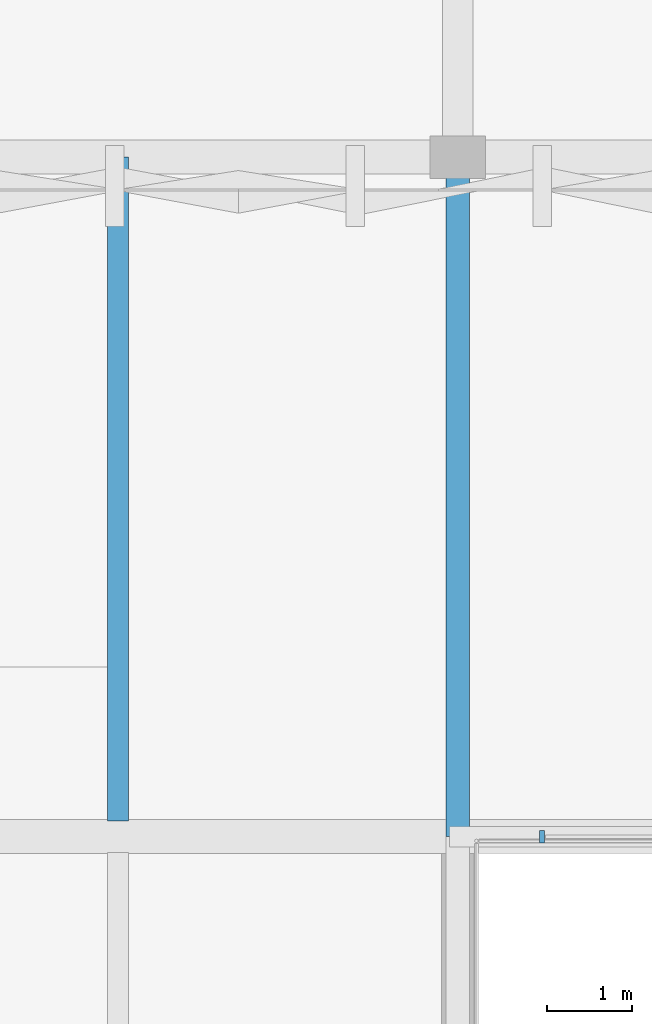
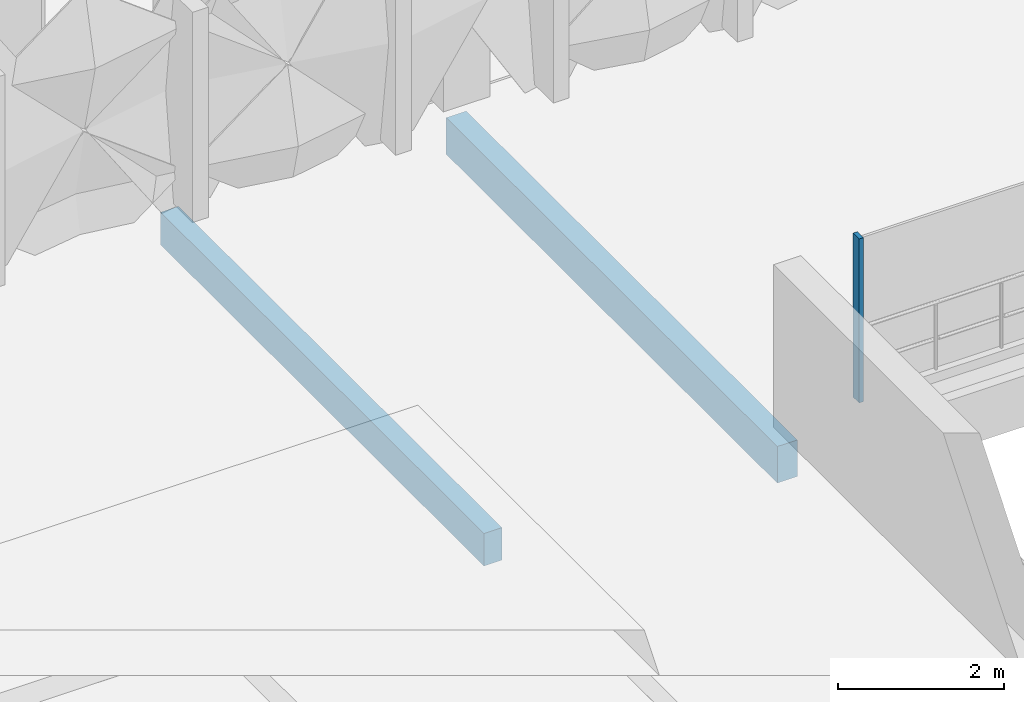
# One storey, part 19 of 76: 2 beams, 1 member, 1 element without a shape of its own.
"""IFC4 building model written with IfcOpenShell, lengths in metres."""

from ifc_helpers import new_model, si_unit, derived_unit, direction, frame, origin, origin_2d, place, context, subcontext, project, spatial, rectangle, extrude, material, layer, layer_set, material_profile, profile_set, type_object, element, aggregate, save


model = new_model("IFC4")

# Units and contexts
model_context = context("Model", 3, precision=1e-05, world=origin(), true_north=direction((0.0, 1.0)))
body_context = subcontext(model_context, "Body", "Model", "MODEL_VIEW")
ifc_project = project(units=[si_unit("LENGTHUNIT", "METRE"), si_unit("AREAUNIT", "SQUARE_METRE"), si_unit("VOLUMEUNIT", "CUBIC_METRE"), si_unit("PLANEANGLEUNIT", "RADIAN"), si_unit("MASSUNIT", "GRAM", prefix="KILO"), si_unit("THERMODYNAMICTEMPERATUREUNIT", "KELVIN"), derived_unit("THERMALTRANSMITTANCEUNIT", [(si_unit("POWERUNIT", "WATT"), 1), (si_unit("AREAUNIT", "SQUARE_METRE"), -1), (si_unit("THERMODYNAMICTEMPERATUREUNIT", "KELVIN"), -1)])], contexts=[model_context])

# Site, building, storey
site_placement = place(None, origin())
site = spatial("IfcSite", under=ifc_project, at=site_placement, CompositionType="ELEMENT")
building_placement = place(site_placement, origin())
building = spatial("IfcBuilding", under=site, at=building_placement, Name="Haiyu Intermodal Mobility Hub", CompositionType="ELEMENT")
storey_placement = place(building_placement, frame((0.0, 0.0, 17.300048828125)))
storey = spatial("IfcBuildingStorey", under=building, at=storey_placement, Name="L04", CompositionType="ELEMENT", Elevation=17.300048828125)

# Beams
ifc_material_1 = material(Name="Concrete C40", Category="concrete")
ifc_material_profile_1 = material_profile(ifc_material_1, rectangle(XDim=0.280029296875, YDim=0.5400390625, at=origin_2d()), Name="RCB280x540")
ifc_profile_set_1 = profile_set([ifc_material_profile_1], Name="Concrete C40")
beam_type_1 = type_object("IfcBeamType", Name="BM-CB08", PredefinedType="JOIST", material=ifc_profile_set_1)
beam_1_placement = place(storey_placement, frame((202.0, 72.0, -0.570068359375), z_axis=(0.0, 1.0, 0.0), x_axis=(-1.0, 0.0, 0.0)))
element("IfcBeam", 1, at=beam_1_placement, inside=storey, type_object=beam_type_1, Name="BM-V5T-L04-056", PredefinedType="JOIST", context=body_context, shape_type="SweptSolid", body=[
    extrude(rectangle(XDim=0.280029296875, YDim=0.5400390625, at=origin_2d()), origin(), (0.0, 0.0, 1.0), 8.0),
])
ifc_material_profile_2 = material_profile(ifc_material_1, rectangle(XDim=0.25, YDim=0.47998046875, at=origin_2d()), Name="RCB250x480")
ifc_profile_set_2 = profile_set([ifc_material_profile_2], Name="Concrete C40")
beam_type_2 = type_object("IfcBeamType", Name="BM-CB09", PredefinedType="JOIST", material=ifc_profile_set_2)
beam_2_placement = place(storey_placement, frame((198.0, 72.18505859375, -0.5400390625), z_axis=(0.0, 1.0, 0.0), x_axis=(-1.0, 0.0, 0.0)))
element("IfcBeam", 2, at=beam_2_placement, inside=storey, type_object=beam_type_2, Name="BM-V5J-L04-028", PredefinedType="JOIST", context=body_context, shape_type="SweptSolid", body=[
    extrude(rectangle(XDim=0.25, YDim=0.47998046875, at=origin_2d()), origin(), (0.0, 0.0, 1.0), 7.81494140625),
])

# Curtain wall, member
ifc_material_2 = material(Name="Low-e laminated insulating glass", Category="glass")
ifc_layer = layer(ifc_material_2, 0.199951171875)
ifc_layer_set = layer_set([ifc_layer], Name="Low-e laminated insulating glass")
curtain_wall_type = type_object("IfcCurtainWallType", Name="CW-CW03", PredefinedType="NOTDEFINED", material=ifc_layer_set)
curtain_wall_placement = place(storey_placement, origin())
curtain_wall = element("IfcCurtainWall", 3, at=curtain_wall_placement, inside=storey, type_object=curtain_wall_type, Name="Curtain Wall CW-CPAR-C9-N", PredefinedType="NOTDEFINED")
ifc_material_3 = material(Name="Anodised aluminium 6063-T6", Category="aluminium")
ifc_material_profile_3 = material_profile(ifc_material_3, rectangle(XDim=0.06005859375, YDim=0.14501953125, at=origin_2d()), Name="ALU60x145")
ifc_profile_set_3 = profile_set([ifc_material_profile_3], Name="Anodised aluminium 6063-T6")
member_type = type_object("IfcMemberType", Name="CWM-ML03", PredefinedType="MULLION", material=ifc_profile_set_3)
member_placement = place(storey_placement, frame((202.989990234375, 72.0, 0.0), z_axis=(0.0, 0.0, 1.0), x_axis=(1.0, 0.0, 0.0)))
member = element("IfcMember", 4, at=member_placement, type_object=member_type, Name="CW-CPAR-C9-N-ML03", PredefinedType="MULLION", context=body_context, shape_type="SweptSolid", body=[
    extrude(rectangle(XDim=0.06005859375, YDim=0.14501953125, at=origin_2d()), origin(), (0.0, 0.0, 1.0), 2.4208984375),
])
aggregate(curtain_wall, [member])

save(model, "model.ifc")
